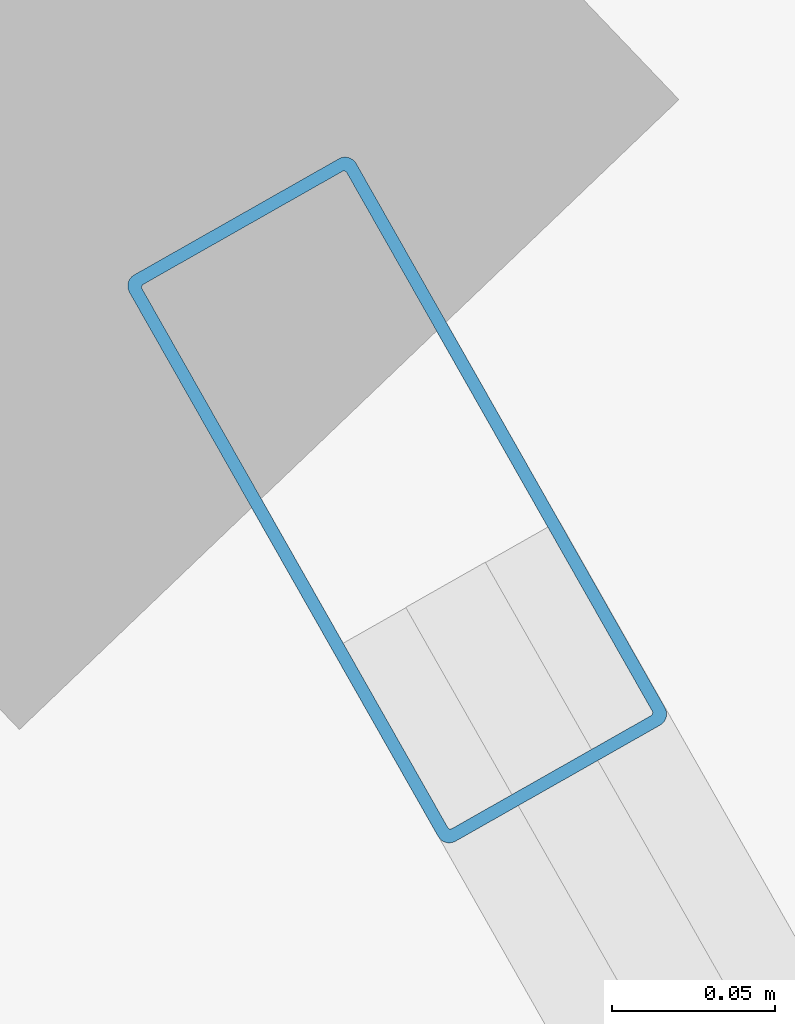
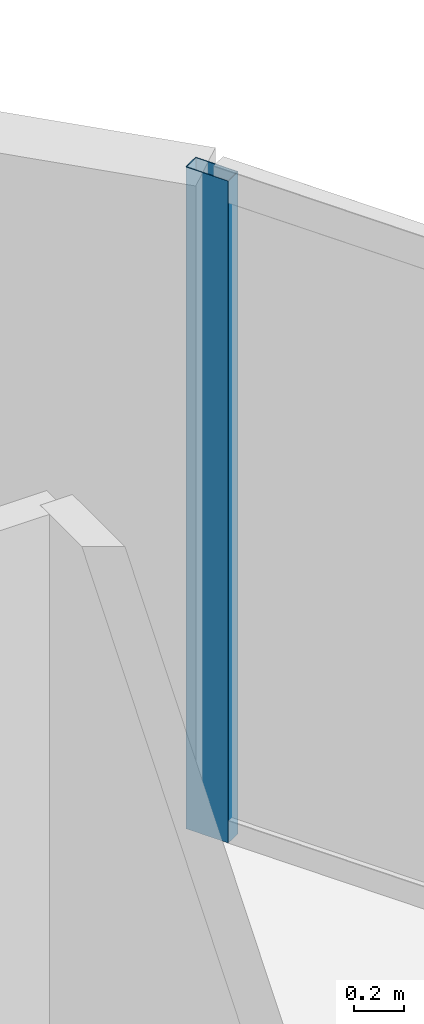
# One storey, part 17 of 27: 1 member, 1 element without a shape of its own.
"""IFC4 building model written with IfcOpenShell, lengths in metres."""

from ifc_helpers import new_model, si_unit, direction, frame, origin, origin_2d, place, context, subcontext, project, spatial, hollow_rectangle, extrude, material, layer, layer_set, material_profile, profile_set, type_object, element, aggregate, save


model = new_model("IFC4")

# Units and contexts
model_context = context("Model", 3, precision=1e-05, world=origin(), true_north=direction((0.0, 1.0)))
body_context = subcontext(model_context, "Body", "Model", "MODEL_VIEW")
ifc_project = project(units=[si_unit("LENGTHUNIT", "METRE"), si_unit("AREAUNIT", "SQUARE_METRE"), si_unit("VOLUMEUNIT", "CUBIC_METRE"), si_unit("PLANEANGLEUNIT", "RADIAN"), si_unit("MASSUNIT", "GRAM", prefix="KILO")], contexts=[model_context])

# Site, building, storey
site_placement = place(None, origin())
site = spatial("IfcSite", under=ifc_project, at=site_placement, CompositionType="ELEMENT")
building_placement = place(site_placement, origin())
building = spatial("IfcBuilding", under=site, at=building_placement, Name="Bramvorn Convention Spire", CompositionType="ELEMENT")
storey_placement = place(building_placement, frame((0.0, 0.0, 41.39990234375)))
storey = spatial("IfcBuildingStorey", under=building, at=storey_placement, Name="L07", CompositionType="ELEMENT", Elevation=41.39990234375)

# Curtain wall, member
ifc_material_1 = material(Name="Anodised Bronze Unitised Curtain Wall", Category="aluminium")
ifc_layer = layer(ifc_material_1, 0.179931640625)
ifc_layer_set = layer_set([ifc_layer], Name="Anodised Bronze Unitised Curtain Wall - CW-HTL-FRIT")
curtain_wall_type = type_object("IfcCurtainWallType", Name="CW-HTL-FRIT", PredefinedType="USERDEFINED", material=ifc_layer_set)
curtain_wall_placement = place(storey_placement, origin())
curtain_wall = element("IfcCurtainWall", 1, at=curtain_wall_placement, inside=storey, type_object=curtain_wall_type, Name="L07 fritted glass curtain wall 02", ObjectType="UNITISED CURTAIN WALL", PredefinedType="USERDEFINED")
ifc_material_2 = material(Name="Anodised Bronze Aluminium 6063-T6", Category="aluminium")
ifc_material_profile = material_profile(ifc_material_2, hollow_rectangle(XDim=0.080078125, YDim=0.199951171875, WallThickness=0.00390625, InnerFilletRadius=0.0009765625, OuterFilletRadius=0.00390625, at=origin_2d()))
ifc_profile_set = profile_set([ifc_material_profile], Name="Anodised Bronze Aluminium 6063-T6 - CWM80X200")
member_type = type_object("IfcMemberType", Name="CW-MUL-180", PredefinedType="MULLION", material=ifc_profile_set)
member_placement = place(storey_placement, frame((66.738037109375, 36.241455078125, 0.0), z_axis=(0.0, 0.0, 1.0), x_axis=(0.869741940254, 0.49350679566, 0.0)))
member = element("IfcMember", 2, at=member_placement, type_object=member_type, Name="CW2 mullion 1", PredefinedType="MULLION", context=body_context, shape_type="SweptSolid", body=[
    extrude(hollow_rectangle(XDim=0.080078125, YDim=0.199951171875, WallThickness=0.00390625, InnerFilletRadius=0.0009765625, OuterFilletRadius=0.00390625, at=origin_2d()), origin(), (0.0, 0.0, 1.0), 3.25),
])
aggregate(curtain_wall, [member])

save(model, "model.ifc")
